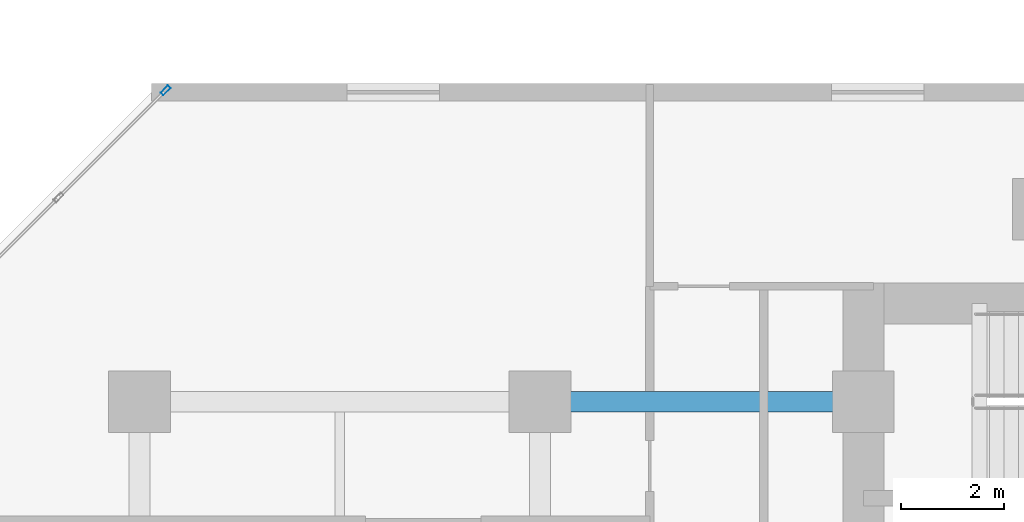
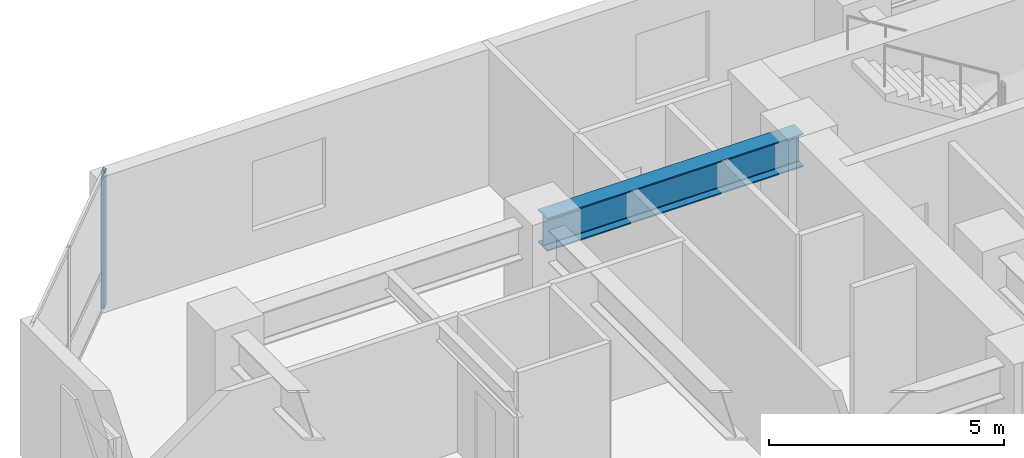
# One storey, part 4 of 12: 1 beam, 1 member, 1 element without a shape of its own.
"""IFC4 building model written with IfcOpenShell, lengths in metres."""

from ifc_helpers import new_model, si_unit, direction, frame, origin, origin_2d, place, context, subcontext, project, spatial, hollow_rectangle, i_section, extrude, material, layer, layer_set, material_profile, profile_set, type_object, element, aggregate, save


model = new_model("IFC4")

# Units and contexts
model_context = context("Model", 3, precision=1e-05, world=origin(), true_north=direction((0.0, 1.0)))
body_context = subcontext(model_context, "Body", "Model", "MODEL_VIEW")
ifc_project = project(units=[si_unit("LENGTHUNIT", "METRE"), si_unit("AREAUNIT", "SQUARE_METRE"), si_unit("VOLUMEUNIT", "CUBIC_METRE"), si_unit("PLANEANGLEUNIT", "RADIAN"), si_unit("MASSUNIT", "GRAM", prefix="KILO")], contexts=[model_context])

# Site, building, storey
site_placement = place(None, origin())
site = spatial("IfcSite", under=ifc_project, at=site_placement, CompositionType="ELEMENT")
building_placement = place(site_placement, origin())
building = spatial("IfcBuilding", under=site, at=building_placement, Name="Kestravale Grand Hotel", CompositionType="ELEMENT")
storey_placement = place(building_placement, frame((0.0, 0.0, 118.39990234375)))
storey = spatial("IfcBuildingStorey", under=building, at=storey_placement, Name="L29", CompositionType="ELEMENT", Elevation=118.39990234375)

# Beam
ifc_material_1 = material(Name="Steel ASTM A992 Grade 50", Category="steel")
ifc_material_profile_1 = material_profile(ifc_material_1, i_section(OverallWidth=0.40087890625, OverallDepth=0.861083984375, WebThickness=0.019775390625, FlangeThickness=0.032470703125, FilletRadius=0.0234375, at=origin_2d()))
ifc_profile_set_1 = profile_set([ifc_material_profile_1], Name="Steel ASTM A992 Grade 50")
beam_type = type_object("IfcBeamType", Name="B-GRD-W33", PredefinedType="BEAM", material=ifc_profile_set_1)
beam_placement = place(storey_placement, frame((15.60009765625, 38.39990234375, 3.109619140625), z_axis=(1.0, 0.0, 0.0), x_axis=(0.0, 1.0, 0.0)))
element("IfcBeam", 1, at=beam_placement, inside=storey, type_object=beam_type, Name="L29 girder F:3-CW", PredefinedType="BEAM", context=body_context, shape_type="SweptSolid", body=[
    extrude(i_section(OverallWidth=0.40087890625, OverallDepth=0.861083984375, WebThickness=0.019775390625, FlangeThickness=0.032470703125, FilletRadius=0.0234375, at=origin_2d()), origin(), (0.0, 0.0, 1.0), 6.2998046875),
])

# Curtain wall, member
ifc_material_2 = material(Name="Thermally broken champagne-bronze aluminium and low-E glazing", Category="aluminium")
ifc_layer = layer(ifc_material_2, 0.199951171875)
ifc_layer_set = layer_set([ifc_layer], Name="CW-Z2")
curtain_wall_type = type_object("IfcCurtainWallType", Name="CW-Z2", PredefinedType="NOTDEFINED", material=ifc_layer_set)
curtain_wall_placement = place(storey_placement, origin())
curtain_wall = element("IfcCurtainWall", 2, at=curtain_wall_placement, inside=storey, type_object=curtain_wall_type, Name="L29 unitised curtain wall 18", PredefinedType="NOTDEFINED")
ifc_material_3 = material(Name="Aluminium 6063-T6 anodised", Category="aluminium")
ifc_material_profile_2 = material_profile(ifc_material_3, hollow_rectangle(XDim=0.074951171875, YDim=0.199951171875, WallThickness=0.00390625, at=origin_2d()))
ifc_profile_set_2 = profile_set([ifc_material_profile_2], Name="Aluminium 6063-T6 anodised")
member_type = type_object("IfcMemberType", Name="CW-MUL-200", PredefinedType="MULLION", material=ifc_profile_set_2)
member_placement = place(storey_placement, frame((8.307861328125, 44.467529296875, 0.0), z_axis=(0.0, 0.0, 1.0), x_axis=(0.707106781187, -0.707106781187, 0.0)))
member = element("IfcMember", 3, at=member_placement, type_object=member_type, Name="CW-Z2 mullion 1", PredefinedType="MULLION", context=body_context, shape_type="SweptSolid", body=[
    extrude(hollow_rectangle(XDim=0.074951171875, YDim=0.199951171875, WallThickness=0.00390625, at=origin_2d()), origin(), (0.0, 0.0, 1.0), 3.5400390625),
])
aggregate(curtain_wall, [member])

save(model, "model.ifc")
